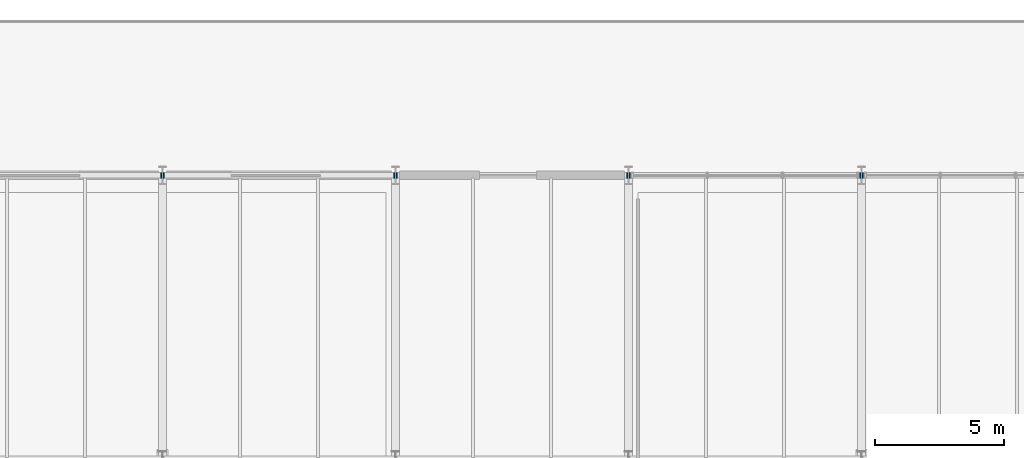
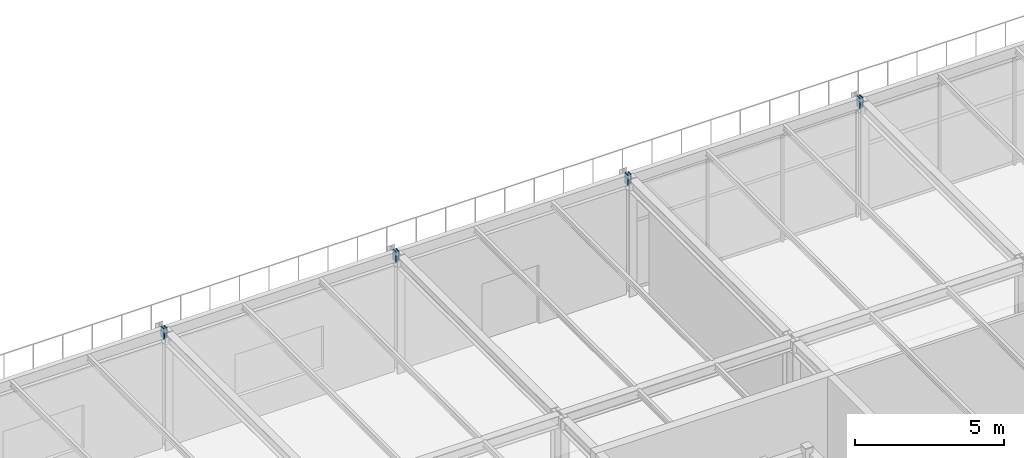
# One storey, part 115 of 143: 8 discrete accessories.
"""IFC4 building model written with IfcOpenShell, lengths in metres."""

from ifc_helpers import new_model, si_unit, direction, frame, origin, origin_2d, place, context, subcontext, project, spatial, rectangle, extrude, material, element, save


model = new_model("IFC4")

# Units and contexts
model_context = context("Model", 3, precision=1e-05, world=origin(), true_north=direction((0.0, 1.0)))
body_context = subcontext(model_context, "Body", "Model", "MODEL_VIEW")
ifc_project = project(units=[si_unit("LENGTHUNIT", "METRE"), si_unit("AREAUNIT", "SQUARE_METRE"), si_unit("VOLUMEUNIT", "CUBIC_METRE"), si_unit("PLANEANGLEUNIT", "RADIAN"), si_unit("MASSUNIT", "GRAM", prefix="KILO")], contexts=[model_context])

# Site, building, storey
site_placement = place(None, origin())
site = spatial("IfcSite", under=ifc_project, at=site_placement, CompositionType="ELEMENT")
building_placement = place(site_placement, origin())
building = spatial("IfcBuilding", under=site, at=building_placement, Name="Marlcrest Central Station", CompositionType="ELEMENT")
storey_placement = place(building_placement, frame((0.0, 0.0, 4.800048828125)))
storey = spatial("IfcBuildingStorey", under=building, at=storey_placement, Name="L01", CompositionType="ELEMENT", Elevation=4.800048828125)

# Discrete accessories
ifc_material = material(Name="Steel S355", Category="steel")
for number, where, z_axis, x_axis, name in (
    (1, (35.925048828125, 132.0, 4.619873046875), (1.0, 0.0, 0.0), (0.0, 1.0, 0.0), "endcap-bm-SP-01-L01-00258-e"),
    (2, (36.03515625, 132.0, 4.619873046875), (1.0, 0.0, 0.0), (0.0, 1.0, 0.0), "endcap-bm-SP-01-L01-00259-s"),
    (3, (44.925048828125, 132.0, 4.619873046875), (1.0, 0.0, 0.0), (0.0, 1.0, 0.0), "endcap-bm-SP-01-L01-00259-e"),
    (4, (45.03515625, 132.0, 4.619873046875), (1.0, 0.0, 0.0), (0.0, 1.0, 0.0), "endcap-bm-SP-01-L01-00260-s"),
    (5, (53.925048828125, 132.0, 4.619873046875), (1.0, 0.0, 0.0), (0.0, 1.0, 0.0), "endcap-bm-SP-01-L01-00260-e"),
    (6, (54.03515625, 132.0, 4.619873046875), (1.0, 0.0, 0.0), (0.0, 1.0, 0.0), "endcap-bm-SP-01-L01-00261-s"),
    (7, (62.925048828125, 132.0, 4.619873046875), (1.0, 0.0, 0.0), (0.0, 1.0, 0.0), "endcap-bm-SP-01-L01-00261-e"),
    (8, (63.03515625, 132.0, 4.619873046875), (1.0, 0.0, 0.0), (0.0, 1.0, 0.0), "endcap-bm-SP-01-L01-00262-s"),
):
    element("IfcDiscreteAccessory", number, at=place(storey_placement, frame(where, z_axis=z_axis, x_axis=x_axis)), inside=storey, material=ifc_material, Name=name, ObjectType="END_CAP_PLATE", PredefinedType="BRACKET", context=body_context, shape_type="SweptSolid", body=[
        extrude(rectangle(XDim=0.216064453125, YDim=0.416015625, at=origin_2d()), origin(), (0.0, 0.0, 1.0), 0.0400390625),
    ])

save(model, "model.ifc")
